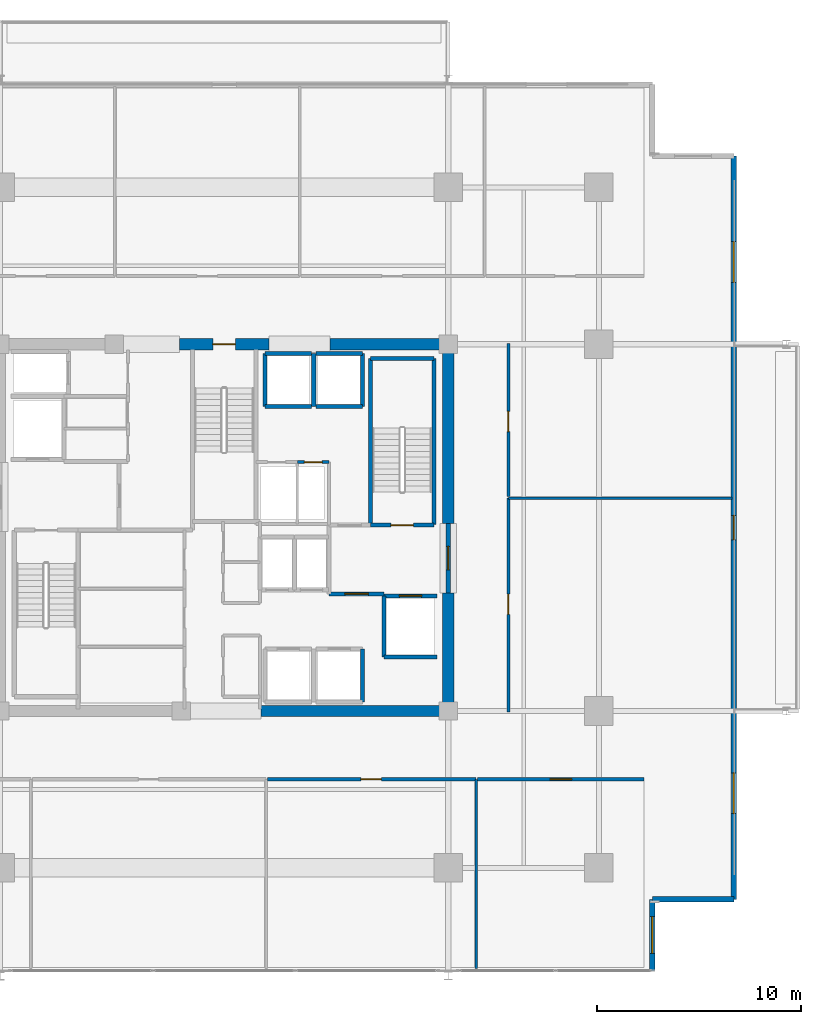
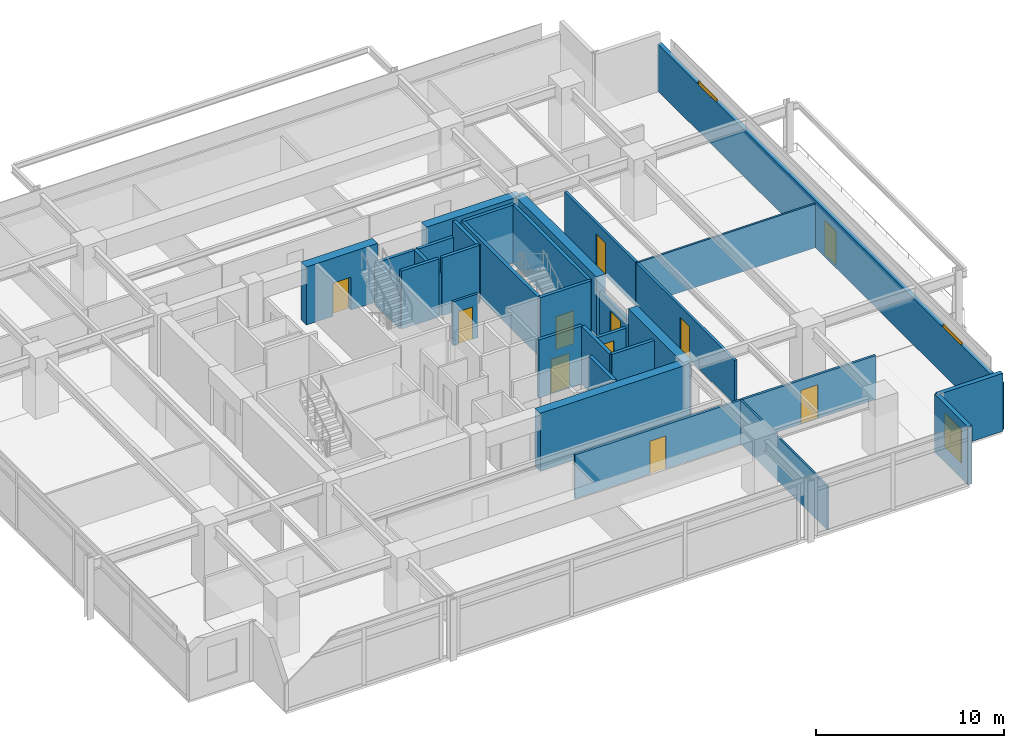
# One storey, part 16 of 21: 32 walls, 11 doors, 3 windows, 14 openings.
"""IFC4 building model written with IfcOpenShell, lengths in metres."""

from ifc_helpers import new_model, si_unit, direction, frame, frame_2d, origin, place, context, subcontext, project, spatial, rectangle, extrude, material, layer, layer_set, type_object, element, fill, save


model = new_model("IFC4")

# Units and contexts
model_context = context("Model", 3, precision=1e-05, world=origin(), true_north=direction((0.0, 1.0)))
body_context = subcontext(model_context, "Body", "Model", "MODEL_VIEW")
ifc_project = project(units=[si_unit("LENGTHUNIT", "METRE"), si_unit("AREAUNIT", "SQUARE_METRE"), si_unit("VOLUMEUNIT", "CUBIC_METRE"), si_unit("PLANEANGLEUNIT", "RADIAN"), si_unit("MASSUNIT", "GRAM", prefix="KILO")], contexts=[model_context])

# Site, building, storey
site_placement = place(None, origin())
site = spatial("IfcSite", under=ifc_project, at=site_placement, CompositionType="ELEMENT")
building_placement = place(site_placement, origin())
building = spatial("IfcBuilding", under=site, at=building_placement, Name="Kovane Verandah Tower", CompositionType="ELEMENT")
storey_placement = place(building_placement, frame((0.0, 0.0, 209.199951171875)))
storey = spatial("IfcBuildingStorey", under=building, at=storey_placement, Name="L48", CompositionType="ELEMENT", Elevation=209.199951171875)

# Wall, opening, door
ifc_material_1 = material(Name="Fire-Rated Gypsum Stud Partition", Category="gypsum")
ifc_layer_1 = layer(ifc_material_1, 0.14990234375)
ifc_layer_set_1 = layer_set([ifc_layer_1], Name="Fire-Rated Gypsum Stud Partition")
wall_type_1 = type_object("IfcWallType", Name="WL-COR-150", PredefinedType="PARTITIONING", material=ifc_layer_set_1)
wall_1_placement = place(storey_placement, frame((43.60009765625, 30.719970703125, 0.0), z_axis=(0.0, 0.0, 1.0), x_axis=(1.0, 0.0, 0.0)))
wall_1 = element("IfcWall", 1, at=wall_1_placement, inside=storey, type_object=wall_type_1, Name="L48 Sprinkler Wet Riser Room Partition", PredefinedType="PARTITIONING", context=body_context, shape_type="SweptSolid", body=[
    extrude(rectangle(XDim=1.5498046875, YDim=0.14990234375, at=frame_2d((0.77490234375, 0.0))), origin(), (0.0, 0.0, 1.0), 2.85009765625),
])
opening_1_placement = place(wall_1_placement, frame((0.3349609375, 0.0, 0.0)))
opening_1 = element("IfcOpeningElement", 2, at=opening_1_placement, cuts=wall_1, Name="Opening DR-L48-019", PredefinedType="OPENING", context=body_context, shape_type="SweptSolid", body=[
    extrude(rectangle(XDim=0.8798828125, YDim=2.10009765625, at=frame_2d((0.43994140625, 1.050048828125))), frame((0.0, 0.074951171875, 0.0), z_axis=(0.0, -1.0, 0.0), x_axis=(1.0, 0.0, 0.0)), (0.0, 0.0, 1.0), 0.14990234375),
])
ifc_material_2 = material(Name="Fire-Rated Steel Riser Access Door", Category="steel")
door_type_1 = type_object("IfcDoorType", Name="DR-RISER-880", OperationType="SINGLE_SWING_LEFT", PredefinedType="DOOR", material=ifc_material_2)
door_1_placement = place(opening_1_placement, origin())
door_1 = element("IfcDoor", 3, at=door_1_placement, inside=storey, type_object=door_type_1, Name="L48 Sprinkler Wet Riser Room Door", OperationType="SINGLE_SWING_LEFT", OverallHeight=2.10009765625, OverallWidth=0.8798828125, PredefinedType="DOOR", context=body_context, shape_type="SweptSolid", body=[
    extrude(rectangle(XDim=0.8798828125, YDim=2.10009765625, at=frame_2d((0.43994140625, 1.050048828125))), frame((0.0, 0.02490234375, 0.0), z_axis=(0.0, -1.0, 0.0), x_axis=(1.0, 0.0, 0.0)), (0.0, 0.0, 1.0), 0.050048828125),
])
fill(opening_1, door_1)

wall_2_placement = place(storey_placement, frame((42.1318359375, 15.14990234375, 0.0), z_axis=(0.0, 0.0, 1.0), x_axis=(1.0, 0.0, 0.0)))
wall_2 = element("IfcWall", 4, at=wall_2_placement, inside=storey, type_object=wall_type_1, Name="L48 Open Plan Office S3 Corridor Partition", PredefinedType="PARTITIONING", context=body_context, shape_type="SweptSolid", body=[
    extrude(rectangle(XDim=10.23876953125, YDim=0.14990234375, at=frame_2d((5.119384765625, 0.0))), origin(), (0.0, 0.0, 1.0), 2.85009765625),
])
opening_2_placement = place(wall_2_placement, frame((4.58447265625, 0.0, 0.0)))
opening_2 = element("IfcOpeningElement", 5, at=opening_2_placement, cuts=wall_2, Name="Opening DR-L48-027", PredefinedType="OPENING", context=body_context, shape_type="SweptSolid", body=[
    extrude(rectangle(XDim=1.0, YDim=2.14990234375, at=frame_2d((0.5, 1.074951171875))), frame((0.0, 0.074951171875, 0.0), z_axis=(0.0, -1.0, 0.0), x_axis=(1.0, 0.0, 0.0)), (0.0, 0.0, 1.0), 0.14990234375),
])
ifc_material_3 = material(Name="FSC Spotted-Gum Timber Fire-Rated Office Door", Category="wood")
door_type_2 = type_object("IfcDoorType", Name="DR-OFF-1000", OperationType="SINGLE_SWING_LEFT", PredefinedType="DOOR", material=ifc_material_3)
door_2_placement = place(opening_2_placement, origin())
door_2 = element("IfcDoor", 6, at=door_2_placement, inside=storey, type_object=door_type_2, Name="L48 Open Plan Office S3 Entrance Door", OperationType="SINGLE_SWING_LEFT", OverallHeight=2.14990234375, OverallWidth=1.0, PredefinedType="DOOR", context=body_context, shape_type="SweptSolid", body=[
    extrude(rectangle(XDim=1.0, YDim=2.14990234375, at=frame_2d((0.5, 1.074951171875))), frame((0.0, 0.02490234375, 0.0), z_axis=(0.0, -1.0, 0.0), x_axis=(1.0, 0.0, 0.0)), (0.0, 0.0, 1.0), 0.050048828125),
])
fill(opening_2, door_2)

wall_3_placement = place(storey_placement, frame((52.440673828125, 15.14990234375, 0.0), z_axis=(0.0, 0.0, 1.0), x_axis=(1.0, 0.0, 0.0)))
wall_3 = element("IfcWall", 7, at=wall_3_placement, inside=storey, type_object=wall_type_1, Name="L48 Executive Office S4 Corridor Partition", PredefinedType="PARTITIONING", context=body_context, shape_type="SweptSolid", body=[
    extrude(rectangle(XDim=8.17724609375, YDim=0.14990234375, at=frame_2d((4.088623046875, 0.0))), origin(), (0.0, 0.0, 1.0), 2.85009765625),
])
opening_3_placement = place(wall_3_placement, frame((3.563720703125, 0.0, 0.0)))
opening_3 = element("IfcOpeningElement", 8, at=opening_3_placement, cuts=wall_3, Name="Opening DR-L48-028", PredefinedType="OPENING", context=body_context, shape_type="SweptSolid", body=[
    extrude(rectangle(XDim=1.050048828125, YDim=2.199951171875, at=frame_2d((0.52490234375, 1.10009765625))), frame((0.0, 0.074951171875, 0.0), z_axis=(0.0, -1.0, 0.0), x_axis=(1.0, 0.0, 0.0)), (0.0, 0.0, 1.0), 0.14990234375),
])
ifc_material_4 = material(Name="FSC Blackbutt Timber Fire-Rated Executive Door", Category="wood")
door_type_3 = type_object("IfcDoorType", Name="DR-EXEC-1050", OperationType="SINGLE_SWING_LEFT", PredefinedType="DOOR", material=ifc_material_4)
door_3_placement = place(opening_3_placement, origin())
door_3 = element("IfcDoor", 9, at=door_3_placement, inside=storey, type_object=door_type_3, Name="L48 Executive Office S4 Entrance Door", OperationType="SINGLE_SWING_RIGHT", OverallHeight=2.199951171875, OverallWidth=1.050048828125, PredefinedType="DOOR", context=body_context, shape_type="SweptSolid", body=[
    extrude(rectangle(XDim=1.050048828125, YDim=2.199951171875, at=frame_2d((0.52490234375, 1.10009765625))), frame((0.0, 0.02490234375, 0.0), z_axis=(0.0, -1.0, 0.0), x_axis=(1.0, 0.0, 0.0)), (0.0, 0.0, 1.0), 0.050048828125),
])
fill(opening_3, door_3)

wall_4_placement = place(storey_placement, frame((53.949951171875, 18.449951171875, 0.0), z_axis=(0.0, 0.0, 1.0), x_axis=(0.0, 1.0, 0.0)))
wall_4 = element("IfcWall", 10, at=wall_4_placement, inside=storey, type_object=wall_type_1, Name="L48 Focus Studio E1 Corridor Partition", PredefinedType="PARTITIONING", context=body_context, shape_type="SweptSolid", body=[
    extrude(rectangle(XDim=10.498046875, YDim=0.14990234375, at=frame_2d((5.2490234375, 0.0))), origin(), (0.0, 0.0, 1.0), 2.85009765625),
])
opening_4_placement = place(wall_4_placement, frame((4.7890625, 0.0, 0.0)))
opening_4 = element("IfcOpeningElement", 11, at=opening_4_placement, cuts=wall_4, Name="Opening DR-L48-013", PredefinedType="OPENING", context=body_context, shape_type="SweptSolid", body=[
    extrude(rectangle(XDim=1.0, YDim=2.14990234375, at=frame_2d((0.5, 1.074951171875))), frame((0.0, 0.074951171875, 0.0), z_axis=(0.0, -1.0, 0.0), x_axis=(1.0, 0.0, 0.0)), (0.0, 0.0, 1.0), 0.14990234375),
])
door_4_placement = place(opening_4_placement, origin())
door_4 = element("IfcDoor", 12, at=door_4_placement, inside=storey, type_object=door_type_2, Name="L48 Focus Studio E1 Entrance Door", OperationType="SINGLE_SWING_LEFT", OverallHeight=2.14990234375, OverallWidth=1.0, PredefinedType="DOOR", context=body_context, shape_type="SweptSolid", body=[
    extrude(rectangle(XDim=1.0, YDim=2.14990234375, at=frame_2d((0.5, 1.074951171875))), frame((0.0, 0.02490234375, 0.0), z_axis=(0.0, -1.0, 0.0), x_axis=(1.0, 0.0, 0.0)), (0.0, 0.0, 1.0), 0.050048828125),
])
fill(opening_4, door_4)

wall_5_placement = place(storey_placement, frame((53.949951171875, 29.01806640625, 0.0), z_axis=(0.0, 0.0, 1.0), x_axis=(0.0, 1.0, 0.0)))
wall_5 = element("IfcWall", 13, at=wall_5_placement, inside=storey, type_object=wall_type_1, Name="L48 Breakout Pantry E2 Corridor Partition", PredefinedType="PARTITIONING", context=body_context, shape_type="SweptSolid", body=[
    extrude(rectangle(XDim=7.531982421875, YDim=0.14990234375, at=frame_2d((3.76611328125, 0.0))), origin(), (0.0, 0.0, 1.0), 2.85009765625),
])
opening_5_placement = place(wall_5_placement, frame((3.19091796875, 0.0, 0.0)))
opening_5 = element("IfcOpeningElement", 14, at=opening_5_placement, cuts=wall_5, Name="Opening DR-L48-014", PredefinedType="OPENING", context=body_context, shape_type="SweptSolid", body=[
    extrude(rectangle(XDim=1.0, YDim=2.14990234375, at=frame_2d((0.5, 1.074951171875))), frame((0.0, 0.074951171875, 0.0), z_axis=(0.0, -1.0, 0.0), x_axis=(1.0, 0.0, 0.0)), (0.0, 0.0, 1.0), 0.14990234375),
])
door_5_placement = place(opening_5_placement, origin())
door_5 = element("IfcDoor", 15, at=door_5_placement, inside=storey, type_object=door_type_2, Name="L48 Breakout Pantry E2 Entrance Door", OperationType="SINGLE_SWING_RIGHT", OverallHeight=2.14990234375, OverallWidth=1.0, PredefinedType="DOOR", context=body_context, shape_type="SweptSolid", body=[
    extrude(rectangle(XDim=1.0, YDim=2.14990234375, at=frame_2d((0.5, 1.074951171875))), frame((0.0, 0.02490234375, 0.0), z_axis=(0.0, -1.0, 0.0), x_axis=(1.0, 0.0, 0.0)), (0.0, 0.0, 1.0), 0.050048828125),
])
fill(opening_5, door_5)

# Wall
ifc_material_5 = material(Name="Concrete C60/75", Category="concrete")
ifc_layer_2 = layer(ifc_material_5, 0.550048828125)
ifc_layer_set_2 = layer_set([ifc_layer_2], Name="Concrete C60/75")
wall_type_2 = type_object("IfcWallType", Name="WL-CORE-550", PredefinedType="SHEAR", material=ifc_layer_set_2)
wall_6_placement = place(storey_placement, frame((41.800048828125, 18.5, 0.0), z_axis=(0.0, 0.0, 1.0), x_axis=(1.0, 0.0, 0.0)))
element("IfcWall", 16, at=wall_6_placement, inside=storey, type_object=wall_type_2, Name="L48 Core Shear Wall CS-2", PredefinedType="SHEAR", context=body_context, shape_type="SweptSolid", body=[
    extrude(rectangle(XDim=9.199951171875, YDim=0.550048828125, at=frame_2d((4.60009765625, 0.0))), origin(), (0.0, 0.0, 1.0), 3.775146484375),
])

# Wall, opening, door
wall_7_placement = place(storey_placement, frame((37.800048828125, 36.5, 0.0), z_axis=(0.0, 0.0, 1.0), x_axis=(1.0, 0.0, 0.0)))
wall_7 = element("IfcWall", 17, at=wall_7_placement, inside=storey, type_object=wall_type_2, Name="L48 Core Shear Wall CN-2", PredefinedType="SHEAR", context=body_context, shape_type="SweptSolid", body=[
    extrude(rectangle(XDim=4.39990234375, YDim=0.550048828125, at=frame_2d((2.199951171875, 0.0))), origin(), (0.0, 0.0, 1.0), 3.775146484375),
])
opening_6_placement = place(wall_7_placement, frame((1.64990234375, 0.0, 0.0)))
opening_6 = element("IfcOpeningElement", 18, at=opening_6_placement, cuts=wall_7, Name="Opening DR-L48-011", PredefinedType="OPENING", context=body_context, shape_type="SweptSolid", body=[
    extrude(rectangle(XDim=1.10009765625, YDim=2.14990234375, at=frame_2d((0.550048828125, 1.074951171875))), frame((0.0, 0.27490234375, 0.0), z_axis=(0.0, -1.0, 0.0), x_axis=(1.0, 0.0, 0.0)), (0.0, 0.0, 1.0), 0.550048828125),
])
ifc_material_6 = material(Name="Fire-Rated Steel Exit Door", Category="steel")
door_type_4 = type_object("IfcDoorType", Name="DR-STAIR-1100", OperationType="SINGLE_SWING_LEFT", PredefinedType="DOOR", material=ifc_material_6)
door_6_placement = place(opening_6_placement, origin())
door_6 = element("IfcDoor", 19, at=door_6_placement, inside=storey, type_object=door_type_4, Name="L48 ST-03 Fire Exit Stair Door", OperationType="SINGLE_SWING_RIGHT", OverallHeight=2.14990234375, OverallWidth=1.10009765625, PredefinedType="DOOR", context=body_context, shape_type="SweptSolid", body=[
    extrude(rectangle(XDim=1.10009765625, YDim=2.14990234375, at=frame_2d((0.550048828125, 1.074951171875))), frame((0.0, 0.02490234375, 0.0), z_axis=(0.0, -1.0, 0.0), x_axis=(1.0, 0.0, 0.0)), (0.0, 0.0, 1.0), 0.050048828125),
])
fill(opening_6, door_6)

# Walls
for number, where, z_axis, x_axis, name in (
    (20, (45.199951171875, 36.5, 0.0), (0.0, 0.0, 1.0), (1.0, 0.0, 0.0), "L48 Core Shear Wall CN-3"),
    (21, (51.0, 18.5, 0.0), (0.0, 0.0, 1.0), (0.0, 1.0, 0.0), "L48 Core Shear Wall CE-1"),
):
    element("IfcWall", number, at=place(storey_placement, frame(where, z_axis=z_axis, x_axis=x_axis)), inside=storey, type_object=wall_type_2, Name=name, PredefinedType="SHEAR", context=body_context, shape_type="SweptSolid", body=[
        extrude(rectangle(XDim=5.800048828125, YDim=0.550048828125, at=frame_2d((2.89990234375, 0.0))), origin(), (0.0, 0.0, 1.0), 3.775146484375),
    ])
wall_8_placement = place(storey_placement, frame((51.0, 27.699951171875, 0.0), z_axis=(0.0, 0.0, 1.0), x_axis=(0.0, 1.0, 0.0)))
element("IfcWall", 22, at=wall_8_placement, inside=storey, type_object=wall_type_2, Name="L48 Core Shear Wall CE-2", PredefinedType="SHEAR", context=body_context, shape_type="SweptSolid", body=[
    extrude(rectangle(XDim=8.800048828125, YDim=0.550048828125, at=frame_2d((4.39990234375, 0.0))), origin(), (0.0, 0.0, 1.0), 3.775146484375),
])

# Wall, opening, door
ifc_material_7 = material(Name="Concrete C45/55 Fire Wall", Category="concrete")
ifc_layer_3 = layer(ifc_material_7, 0.199951171875)
ifc_layer_set_3 = layer_set([ifc_layer_3], Name="Concrete C45/55 Fire Wall")
wall_type_3 = type_object("IfcWallType", Name="WL-FFL-200", PredefinedType="PARTITIONING", material=ifc_layer_set_3)
wall_9_placement = place(storey_placement, frame((45.14990234375, 24.25, 0.0), z_axis=(0.0, 0.0, 1.0), x_axis=(1.0, 0.0, 0.0)))
wall_9 = element("IfcWall", 23, at=wall_9_placement, inside=storey, type_object=wall_type_3, Name="W-L48-FFLE-S", PredefinedType="PARTITIONING", context=body_context, shape_type="SweptSolid", body=[
    extrude(rectangle(XDim=2.7001953125, YDim=0.199951171875, at=frame_2d((1.35009765625, 0.0))), origin(), (0.0, 0.0, 1.0), 3.775146484375),
])
opening_7_placement = place(wall_9_placement, frame((0.77490234375, 0.0, 0.0)))
opening_7 = element("IfcOpeningElement", 24, at=opening_7_placement, cuts=wall_9, Name="Opening DR-L48-003", PredefinedType="OPENING", context=body_context, shape_type="SweptSolid", body=[
    extrude(rectangle(XDim=1.14990234375, YDim=2.199951171875, at=frame_2d((0.574951171875, 1.10009765625))), frame((0.0, 0.10009765625, 0.0), z_axis=(0.0, -1.0, 0.0), x_axis=(1.0, 0.0, 0.0)), (0.0, 0.0, 1.0), 0.199951171875),
])
ifc_material_8 = material(Name="Smoke-Sealed Firefighting Lobby Door", Category="steel")
door_type_5 = type_object("IfcDoorType", Name="DR-FFL-1150", OperationType="SINGLE_SWING_LEFT", PredefinedType="DOOR", material=ifc_material_8)
door_7_placement = place(opening_7_placement, origin())
door_7 = element("IfcDoor", 25, at=door_7_placement, inside=storey, type_object=door_type_5, Name="L48 East Firefighting Lobby Inner Door", OperationType="SINGLE_SWING_RIGHT", OverallHeight=2.199951171875, OverallWidth=1.14990234375, PredefinedType="DOOR", context=body_context, shape_type="SweptSolid", body=[
    extrude(rectangle(XDim=1.14990234375, YDim=2.199951171875, at=frame_2d((0.574951171875, 1.10009765625))), frame((0.0, 0.02490234375, 0.0), z_axis=(0.0, -1.0, 0.0), x_axis=(1.0, 0.0, 0.0)), (0.0, 0.0, 1.0), 0.050048828125),
])
fill(opening_7, door_7)

wall_10_placement = place(storey_placement, frame((51.0, 24.300048828125, 0.0), z_axis=(0.0, 0.0, 1.0), x_axis=(0.0, 1.0, 0.0)))
wall_10 = element("IfcWall", 26, at=wall_10_placement, inside=storey, type_object=wall_type_3, Name="W-L48-FFLE-OUT", PredefinedType="PARTITIONING", context=body_context, shape_type="SweptSolid", body=[
    extrude(rectangle(XDim=3.39990234375, YDim=0.199951171875, at=frame_2d((1.699951171875, 0.0))), origin(), (0.0, 0.0, 1.0), 2.755126953125),
])
opening_8_placement = place(wall_10_placement, frame((1.125, 0.0, 0.0)))
opening_8 = element("IfcOpeningElement", 27, at=opening_8_placement, cuts=wall_10, Name="Opening DR-L48-005", PredefinedType="OPENING", context=body_context, shape_type="SweptSolid", body=[
    extrude(rectangle(XDim=1.14990234375, YDim=2.199951171875, at=frame_2d((0.574951171875, 1.10009765625))), frame((0.0, 0.10009765625, 0.0), z_axis=(0.0, -1.0, 0.0), x_axis=(1.0, 0.0, 0.0)), (0.0, 0.0, 1.0), 0.199951171875),
])
door_8_placement = place(opening_8_placement, origin())
door_8 = element("IfcDoor", 28, at=door_8_placement, inside=storey, type_object=door_type_5, Name="L48 East Firefighting Lobby Corridor Door", OperationType="SINGLE_SWING_LEFT", OverallHeight=2.199951171875, OverallWidth=1.14990234375, PredefinedType="DOOR", context=body_context, shape_type="SweptSolid", body=[
    extrude(rectangle(XDim=1.14990234375, YDim=2.199951171875, at=frame_2d((0.574951171875, 1.10009765625))), frame((0.0, 0.02490234375, 0.0), z_axis=(0.0, -1.0, 0.0), x_axis=(1.0, 0.0, 0.0)), (0.0, 0.0, 1.0), 0.050048828125),
])
fill(opening_8, door_8)

# Wall
ifc_material_9 = material(Name="Concrete C45/55 Lift Shaft Wall", Category="concrete")
ifc_layer_4 = layer(ifc_material_9, 0.199951171875)
ifc_layer_set_4 = layer_set([ifc_layer_4], Name="Concrete C45/55 Lift Shaft Wall")
wall_type_4 = type_object("IfcWallType", Name="WL-LIFT-200", PredefinedType="SOLIDWALL", material=ifc_layer_set_4)
wall_11_placement = place(storey_placement, frame((47.85009765625, 21.14990234375, 0.0), z_axis=(0.0, 0.0, 1.0), x_axis=(1.0, 0.0, 0.0)))
element("IfcWall", 29, at=wall_11_placement, inside=storey, type_object=wall_type_4, Name="L48 Lift FL-02 S Shaft Wall", PredefinedType="SOLIDWALL", context=body_context, shape_type="SweptSolid", body=[
    extrude(rectangle(XDim=2.599853515625, YDim=0.199951171875, at=frame_2d((1.2998046875, 0.0))), origin(), (0.0, 0.0, 1.0), 3.775146484375),
])

# Wall, opening, door
wall_12_placement = place(storey_placement, frame((50.449951171875, 24.14990234375, 0.0), z_axis=(0.0, 0.0, 1.0), x_axis=(-1.0, 0.0, 0.0)))
wall_12 = element("IfcWall", 30, at=wall_12_placement, inside=storey, type_object=wall_type_4, Name="L48 Lift FL-02 N Shaft Wall", PredefinedType="SOLIDWALL", context=body_context, shape_type="SweptSolid", body=[
    extrude(rectangle(XDim=2.599853515625, YDim=0.199951171875, at=frame_2d((1.2998046875, 0.0))), origin(), (0.0, 0.0, 1.0), 2.755126953125),
])
opening_9_placement = place(wall_12_placement, frame((0.75, 0.0, 0.0)))
opening_9 = element("IfcOpeningElement", 31, at=opening_9_placement, cuts=wall_12, Name="Opening LD-L48-002", PredefinedType="OPENING", context=body_context, shape_type="SweptSolid", body=[
    extrude(rectangle(XDim=1.10009765625, YDim=2.199951171875, at=frame_2d((0.550048828125, 1.10009765625))), frame((0.0, 0.10009765625, 0.0), z_axis=(0.0, -1.0, 0.0), x_axis=(1.0, 0.0, 0.0)), (0.0, 0.0, 1.0), 0.199951171875),
])
ifc_material_10 = material(Name="Brushed Stainless Steel Sliding Lift Landing Door", Category="steel")
door_type_6 = type_object("IfcDoorType", Name="DR-LIFT-1100", OperationType="SLIDING_TO_RIGHT", PredefinedType="DOOR", material=ifc_material_10)
door_9_placement = place(opening_9_placement, origin())
door_9 = element("IfcDoor", 32, at=door_9_placement, inside=storey, type_object=door_type_6, Name="L48 Lift FL-02 Sliding Landing Door", OperationType="SLIDING_TO_RIGHT", OverallHeight=2.199951171875, OverallWidth=1.10009765625, PredefinedType="DOOR", context=body_context, shape_type="SweptSolid", body=[
    extrude(rectangle(XDim=1.10009765625, YDim=2.199951171875, at=frame_2d((0.550048828125, 1.10009765625))), frame((0.0, 0.02490234375, 0.0), z_axis=(0.0, -1.0, 0.0), x_axis=(1.0, 0.0, 0.0)), (0.0, 0.0, 1.0), 0.050048828125),
])
fill(opening_9, door_9)

# Walls
wall_13_placement = place(storey_placement, frame((47.85009765625, 24.14990234375, 0.0), z_axis=(0.0, 0.0, 1.0), x_axis=(0.0, -1.0, 0.0)))
element("IfcWall", 33, at=wall_13_placement, inside=storey, type_object=wall_type_4, Name="L48 Lift FL-02 W Shaft Wall", PredefinedType="SOLIDWALL", context=body_context, shape_type="SweptSolid", body=[
    extrude(rectangle(XDim=3.0, YDim=0.199951171875, at=frame_2d((1.5, 0.0))), origin(), (0.0, 0.0, 1.0), 3.775146484375),
])
wall_14_placement = place(storey_placement, frame((46.800048828125, 18.949951171875, 0.0), z_axis=(0.0, 0.0, 1.0), x_axis=(0.0, 1.0, 0.0)))
element("IfcWall", 34, at=wall_14_placement, inside=storey, type_object=wall_type_4, Name="L48 Lift PL-M2 E Shaft Wall", PredefinedType="SOLIDWALL", context=body_context, shape_type="SweptSolid", body=[
    extrude(rectangle(XDim=2.60009765625, YDim=0.199951171875, at=frame_2d((1.300048828125, 0.0))), origin(), (0.0, 0.0, 1.0), 3.775146484375),
])
wall_15_placement = place(storey_placement, frame((42.0, 33.449951171875, 0.0), z_axis=(0.0, 0.0, 1.0), x_axis=(1.0, 0.0, 0.0)))
element("IfcWall", 35, at=wall_15_placement, inside=storey, type_object=wall_type_4, Name="L48 Lift SL-01 S Shaft Wall", PredefinedType="SOLIDWALL", context=body_context, shape_type="SweptSolid", body=[
    extrude(rectangle(XDim=2.300048828125, YDim=0.199951171875, at=frame_2d((1.14990234375, 0.0))), origin(), (0.0, 0.0, 1.0), 3.775146484375),
])
wall_16_placement = place(storey_placement, frame((44.300048828125, 36.050048828125, 0.0), z_axis=(0.0, 0.0, 1.0), x_axis=(-1.0, 0.0, 0.0)))
element("IfcWall", 36, at=wall_16_placement, inside=storey, type_object=wall_type_4, Name="L48 Lift SL-01 N Shaft Wall", PredefinedType="SOLIDWALL", context=body_context, shape_type="SweptSolid", body=[
    extrude(rectangle(XDim=2.300048828125, YDim=0.199951171875, at=frame_2d((1.14990234375, 0.0))), origin(), (0.0, 0.0, 1.0), 2.755126953125),
])
for number, where, z_axis, x_axis, name in (
    (37, (42.0, 36.050048828125, 0.0), (0.0, 0.0, 1.0), (0.0, -1.0, 0.0), "L48 Lift SL-01 W Shaft Wall"),
    (38, (44.39990234375, 33.449951171875, 0.0), (0.0, 0.0, 1.0), (0.0, 1.0, 0.0), "L48 Lift OL-01 and SL-01 Shared Shaft Wall"),
):
    element("IfcWall", number, at=place(storey_placement, frame(where, z_axis=z_axis, x_axis=x_axis)), inside=storey, type_object=wall_type_4, Name=name, PredefinedType="SOLIDWALL", context=body_context, shape_type="SweptSolid", body=[
        extrude(rectangle(XDim=2.60009765625, YDim=0.199951171875, at=frame_2d((1.300048828125, 0.0))), origin(), (0.0, 0.0, 1.0), 2.755126953125),
    ])
wall_17_placement = place(storey_placement, frame((44.5, 33.449951171875, 0.0), z_axis=(0.0, 0.0, 1.0), x_axis=(1.0, 0.0, 0.0)))
element("IfcWall", 39, at=wall_17_placement, inside=storey, type_object=wall_type_4, Name="L48 Lift OL-01 S Shaft Wall", PredefinedType="SOLIDWALL", context=body_context, shape_type="SweptSolid", body=[
    extrude(rectangle(XDim=2.300048828125, YDim=0.199951171875, at=frame_2d((1.14990234375, 0.0))), origin(), (0.0, 0.0, 1.0), 3.775146484375),
])
wall_18_placement = place(storey_placement, frame((46.800048828125, 36.050048828125, 0.0), z_axis=(0.0, 0.0, 1.0), x_axis=(-1.0, 0.0, 0.0)))
element("IfcWall", 40, at=wall_18_placement, inside=storey, type_object=wall_type_4, Name="L48 Lift OL-01 N Shaft Wall", PredefinedType="SOLIDWALL", context=body_context, shape_type="SweptSolid", body=[
    extrude(rectangle(XDim=2.300048828125, YDim=0.199951171875, at=frame_2d((1.14990234375, 0.0))), origin(), (0.0, 0.0, 1.0), 2.755126953125),
])
wall_19_placement = place(storey_placement, frame((46.800048828125, 33.449951171875, 0.0), z_axis=(0.0, 0.0, 1.0), x_axis=(0.0, 1.0, 0.0)))
element("IfcWall", 41, at=wall_19_placement, inside=storey, type_object=wall_type_4, Name="L48 Lift OL-01 E Shaft Wall", PredefinedType="SOLIDWALL", context=body_context, shape_type="SweptSolid", body=[
    extrude(rectangle(XDim=2.60009765625, YDim=0.199951171875, at=frame_2d((1.300048828125, 0.0))), origin(), (0.0, 0.0, 1.0), 3.775146484375),
])
ifc_material_11 = material(Name="Acoustic Fire-Rated Gypsum Partition", Category="gypsum")
ifc_layer_5 = layer(ifc_material_11, 0.1201171875)
ifc_layer_set_5 = layer_set([ifc_layer_5], Name="Acoustic Fire-Rated Gypsum Partition")
wall_type_5 = type_object("IfcWallType", Name="WL-PART-120", PredefinedType="PARTITIONING", material=ifc_layer_set_5)
wall_20_placement = place(storey_placement, frame((52.37060546875, 5.8583984375, 0.0), z_axis=(0.0, 0.0, 1.0), x_axis=(0.0, 1.0, 0.0)))
element("IfcWall", 42, at=wall_20_placement, inside=storey, type_object=wall_type_5, Name="L48 Open Plan Office S3 Dividing Partition", PredefinedType="PARTITIONING", context=body_context, shape_type="SweptSolid", body=[
    extrude(rectangle(XDim=9.29150390625, YDim=0.1201171875, at=frame_2d((4.645751953125, 0.0))), origin(), (0.0, 0.0, 1.0), 2.85009765625),
])
wall_21_placement = place(storey_placement, frame((53.949951171875, 28.947998046875, 0.0), z_axis=(0.0, 0.0, 1.0), x_axis=(1.0, 0.0, 0.0)))
element("IfcWall", 43, at=wall_21_placement, inside=storey, type_object=wall_type_5, Name="L48 Focus Studio E1 Dividing Partition", PredefinedType="PARTITIONING", context=body_context, shape_type="SweptSolid", body=[
    extrude(rectangle(XDim=10.968017578125, YDim=0.1201171875, at=frame_2d((5.48388671875, 0.0))), origin(), (0.0, 0.0, 1.0), 2.85009765625),
])
ifc_material_12 = material(Name="Concrete C45/55", Category="concrete")
ifc_layer_6 = layer(ifc_material_12, 0.199951171875)
ifc_layer_set_6 = layer_set([ifc_layer_6], Name="Concrete C45/55")
wall_type_6 = type_object("IfcWallType", Name="WL-SHAFT-200", PredefinedType="SOLIDWALL", material=ifc_layer_set_6)
wall_22_placement = place(storey_placement, frame((50.300048828125, 27.64990234375, 0.0), z_axis=(0.0, 0.0, 1.0), x_axis=(0.0, 1.0, 0.0)))
element("IfcWall", 44, at=wall_22_placement, inside=storey, type_object=wall_type_6, Name="W-L48-ST02-E", PredefinedType="SOLIDWALL", context=body_context, shape_type="SweptSolid", body=[
    extrude(rectangle(XDim=8.150146484375, YDim=0.199951171875, at=frame_2d((4.0751953125, 0.0))), origin(), (0.0, 0.0, 1.0), 3.775146484375),
])
wall_23_placement = place(storey_placement, frame((47.179931640625, 35.800048828125, 0.0), z_axis=(0.0, 0.0, 1.0), x_axis=(1.0, 0.0, 0.0)))
element("IfcWall", 45, at=wall_23_placement, inside=storey, type_object=wall_type_6, Name="W-L48-ST02-N", PredefinedType="SOLIDWALL", context=body_context, shape_type="SweptSolid", body=[
    extrude(rectangle(XDim=3.1201171875, YDim=0.199951171875, at=frame_2d((1.56005859375, 0.0))), origin(), (0.0, 0.0, 1.0), 3.775146484375),
])
wall_24_placement = place(storey_placement, frame((47.179931640625, 27.6201171875, 0.0), z_axis=(0.0, 0.0, 1.0), x_axis=(0.0, 1.0, 0.0)))
element("IfcWall", 46, at=wall_24_placement, inside=storey, type_object=wall_type_6, Name="W-L48-ST02-W", PredefinedType="SOLIDWALL", context=body_context, shape_type="SweptSolid", body=[
    extrude(rectangle(XDim=8.179931640625, YDim=0.199951171875, at=frame_2d((4.08984375, 0.0))), origin(), (0.0, 0.0, 1.0), 3.775146484375),
])

# Wall, opening, door
wall_25_placement = place(storey_placement, frame((47.179931640625, 27.6201171875, 0.0), z_axis=(0.0, 0.0, 1.0), x_axis=(1.0, 0.0, 0.0)))
wall_25 = element("IfcWall", 47, at=wall_25_placement, inside=storey, type_object=wall_type_6, Name="W-L48-ST02-S", PredefinedType="SOLIDWALL", context=body_context, shape_type="SweptSolid", body=[
    extrude(rectangle(XDim=3.1201171875, YDim=0.199951171875, at=frame_2d((1.56005859375, 0.0))), origin(), (0.0, 0.0, 1.0), 3.775146484375),
])
opening_10_placement = place(wall_25_placement, frame((1.010009765625, 0.0, 0.0)))
opening_10 = element("IfcOpeningElement", 48, at=opening_10_placement, cuts=wall_25, Name="Opening DR-L48-010", PredefinedType="OPENING", context=body_context, shape_type="SweptSolid", body=[
    extrude(rectangle(XDim=1.10009765625, YDim=2.14990234375, at=frame_2d((0.550048828125, 1.074951171875))), frame((0.0, 0.10009765625, 0.0), z_axis=(0.0, -1.0, 0.0), x_axis=(1.0, 0.0, 0.0)), (0.0, 0.0, 1.0), 0.199951171875),
])
door_10_placement = place(opening_10_placement, origin())
door_10 = element("IfcDoor", 49, at=door_10_placement, inside=storey, type_object=door_type_4, Name="L48 ST-02 Fire Exit Stair Door", OperationType="SINGLE_SWING_LEFT", OverallHeight=2.14990234375, OverallWidth=1.10009765625, PredefinedType="DOOR", context=body_context, shape_type="SweptSolid", body=[
    extrude(rectangle(XDim=1.10009765625, YDim=2.14990234375, at=frame_2d((0.550048828125, 1.074951171875))), frame((0.0, 0.02490234375, 0.0), z_axis=(0.0, -1.0, 0.0), x_axis=(1.0, 0.0, 0.0)), (0.0, 0.0, 1.0), 0.050048828125),
])
fill(opening_10, door_10)

# Wall, openings, door, windows
ifc_material_13 = material(Name="Concrete C45/55 Insulated Spandrel Wall", Category="concrete")
ifc_layer_7 = layer(ifc_material_13, 0.260009765625)
ifc_layer_set_7 = layer_set([ifc_layer_7], Name="Concrete C45/55 Insulated Spandrel Wall")
wall_type_7 = type_object("IfcWallType", Name="WL-SPANDREL-260", PredefinedType="PARAPET", material=ifc_layer_set_7)
wall_26_placement = place(storey_placement, frame((65.017822265625, 9.25830078125, 0.0), z_axis=(0.0, 0.0, 1.0), x_axis=(0.0, 1.0, 0.0)))
wall_26 = element("IfcWall", 50, at=wall_26_placement, inside=storey, type_object=wall_type_7, Name="L48 E Verandah Access Facade Wall", PredefinedType="PARAPET", context=body_context, shape_type="SweptSolid", body=[
    extrude(rectangle(XDim=36.4833984375, YDim=0.260009765625, at=frame_2d((18.24169921875, 0.0))), origin(), (0.0, 0.0, 1.0), 3.047119140625),
])
opening_11_placement = place(wall_26_placement, frame((4.199951171875, 0.0, 0.85009765625)))
opening_11 = element("IfcOpeningElement", 51, at=opening_11_placement, cuts=wall_26, Name="Opening W-04", PredefinedType="OPENING", context=body_context, shape_type="SweptSolid", body=[
    extrude(rectangle(XDim=2.0, YDim=2.300048828125, at=frame_2d((1.0, 1.14990234375))), frame((0.0, 0.1298828125, 0.0), z_axis=(0.0, -1.0, 0.0), x_axis=(1.0, 0.0, 0.0)), (0.0, 0.0, 1.0), 0.260009765625),
])
opening_12_placement = place(wall_26_placement, frame((17.6416015625, 0.0, 0.0)))
opening_12 = element("IfcOpeningElement", 52, at=opening_12_placement, cuts=wall_26, Name="Opening DR-L48-001", PredefinedType="OPENING", context=body_context, shape_type="SweptSolid", body=[
    extrude(rectangle(XDim=1.199951171875, YDim=2.199951171875, at=frame_2d((0.60009765625, 1.10009765625))), frame((0.0, 0.1298828125, 0.0), z_axis=(0.0, -1.0, 0.0), x_axis=(1.0, 0.0, 0.0)), (0.0, 0.0, 1.0), 0.260009765625),
])
opening_13_placement = place(wall_26_placement, frame((30.283203125, 0.0, 0.85009765625)))
opening_13 = element("IfcOpeningElement", 53, at=opening_13_placement, cuts=wall_26, Name="Opening W-04", PredefinedType="OPENING", context=body_context, shape_type="SweptSolid", body=[
    extrude(rectangle(XDim=2.0, YDim=2.300048828125, at=frame_2d((1.0, 1.14990234375))), frame((0.0, 0.1298828125, 0.0), z_axis=(0.0, -1.0, 0.0), x_axis=(1.0, 0.0, 0.0)), (0.0, 0.0, 1.0), 0.260009765625),
])
ifc_material_14 = material(Name="Cyclone-Rated Glazed Balcony Leaf Door", Category="aluminium")
door_type_7 = type_object("IfcDoorType", Name="DR-BAL-1200x2200", OperationType="SINGLE_SWING_LEFT", PredefinedType="DOOR", material=ifc_material_14)
door_11_placement = place(opening_12_placement, origin())
door_11 = element("IfcDoor", 54, at=door_11_placement, inside=storey, type_object=door_type_7, Name="L48 E Planted Balcony Access Door", OperationType="SINGLE_SWING_LEFT", OverallHeight=2.199951171875, OverallWidth=1.199951171875, PredefinedType="DOOR", context=body_context, shape_type="SweptSolid", body=[
    extrude(rectangle(XDim=1.199951171875, YDim=2.199951171875, at=frame_2d((0.60009765625, 1.10009765625))), frame((0.0, 0.02490234375, 0.0), z_axis=(0.0, -1.0, 0.0), x_axis=(1.0, 0.0, 0.0)), (0.0, 0.0, 1.0), 0.050048828125),
])
fill(opening_12, door_11)
ifc_material_15 = material(Name="Clear Low-E Laminated Double Glazing in Anodised Frame", Category="glass")
window_type_1 = type_object("IfcWindowType", Name="WN-FIXED-2000x2300", PartitioningType="SINGLE_PANEL", PredefinedType="WINDOW", material=ifc_material_15)
window_1_placement = place(opening_11_placement, origin())
window_1 = element("IfcWindow", 55, at=window_1_placement, inside=storey, type_object=window_type_1, Name="L48 E Verandah View Window 1", OverallHeight=2.300048828125, OverallWidth=2.0, PartitioningType="SINGLE_PANEL", PredefinedType="WINDOW", context=body_context, shape_type="SweptSolid", body=[
    extrude(rectangle(XDim=2.0, YDim=2.300048828125, at=frame_2d((1.0, 1.14990234375))), frame((0.0, 0.030029296875, 0.0), z_axis=(0.0, -1.0, 0.0), x_axis=(1.0, 0.0, 0.0)), (0.0, 0.0, 1.0), 0.06005859375),
])
fill(opening_11, window_1)
window_2_placement = place(opening_13_placement, origin())
window_2 = element("IfcWindow", 56, at=window_2_placement, inside=storey, type_object=window_type_1, Name="L48 E Verandah View Window 2", OverallHeight=2.300048828125, OverallWidth=2.0, PartitioningType="SINGLE_PANEL", PredefinedType="WINDOW", context=body_context, shape_type="SweptSolid", body=[
    extrude(rectangle(XDim=2.0, YDim=2.300048828125, at=frame_2d((1.0, 1.14990234375))), frame((0.0, 0.030029296875, 0.0), z_axis=(0.0, -1.0, 0.0), x_axis=(1.0, 0.0, 0.0)), (0.0, 0.0, 1.0), 0.06005859375),
])
fill(opening_13, window_2)

# Wall, opening, window
wall_27_placement = place(storey_placement, frame((61.017822265625, 5.75830078125, 0.0), z_axis=(0.0, 0.0, 1.0), x_axis=(0.0, 1.0, 0.0)))
wall_27 = element("IfcWall", 57, at=wall_27_placement, inside=storey, type_object=wall_type_7, Name="L48 SE Notch Cheek Wall 1", PredefinedType="PARAPET", context=body_context, shape_type="SweptSolid", body=[
    extrude(rectangle(XDim=3.5, YDim=0.260009765625, at=frame_2d((1.75, 0.0))), origin(), (0.0, 0.0, 1.0), 3.775146484375),
])
opening_14_placement = place(wall_27_placement, frame((0.85009765625, 0.0, 0.85009765625)))
opening_14 = element("IfcOpeningElement", 58, at=opening_14_placement, cuts=wall_27, Name="Opening W-03", PredefinedType="OPENING", context=body_context, shape_type="SweptSolid", body=[
    extrude(rectangle(XDim=1.800048828125, YDim=2.199951171875, at=frame_2d((0.89990234375, 1.10009765625))), frame((0.0, 0.1298828125, 0.0), z_axis=(0.0, -1.0, 0.0), x_axis=(1.0, 0.0, 0.0)), (0.0, 0.0, 1.0), 0.260009765625),
])
window_type_2 = type_object("IfcWindowType", Name="WN-NOTCH-1800x2200", PartitioningType="SINGLE_PANEL", PredefinedType="WINDOW", material=ifc_material_15)
window_3_placement = place(opening_14_placement, origin())
window_3 = element("IfcWindow", 59, at=window_3_placement, inside=storey, type_object=window_type_2, Name="L48 SE Re-Entrant Corner Operable Window", OverallHeight=2.199951171875, OverallWidth=1.800048828125, PartitioningType="SINGLE_PANEL", PredefinedType="WINDOW", context=body_context, shape_type="SweptSolid", body=[
    extrude(rectangle(XDim=1.800048828125, YDim=2.199951171875, at=frame_2d((0.89990234375, 1.10009765625))), frame((0.0, 0.030029296875, 0.0), z_axis=(0.0, -1.0, 0.0), x_axis=(1.0, 0.0, 0.0)), (0.0, 0.0, 1.0), 0.06005859375),
])
fill(opening_14, window_3)

# Wall
wall_28_placement = place(storey_placement, frame((61.017822265625, 9.25830078125, 0.0), z_axis=(0.0, 0.0, 1.0), x_axis=(1.0, 0.0, 0.0)))
element("IfcWall", 60, at=wall_28_placement, inside=storey, type_object=wall_type_7, Name="L48 SE Notch Cheek Wall 2", PredefinedType="PARAPET", context=body_context, shape_type="SweptSolid", body=[
    extrude(rectangle(XDim=4.0, YDim=0.260009765625, at=frame_2d((2.0, 0.0))), origin(), (0.0, 0.0, 1.0), 3.775146484375),
])

save(model, "model.ifc")
